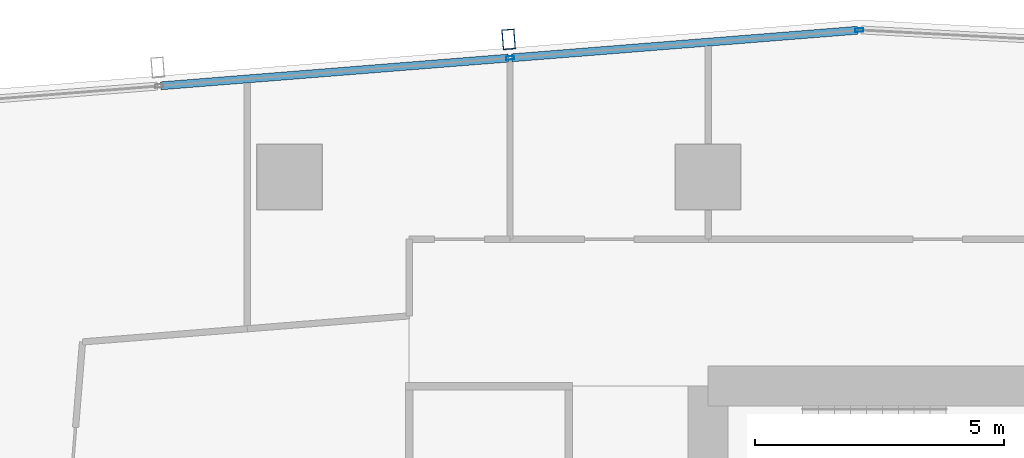
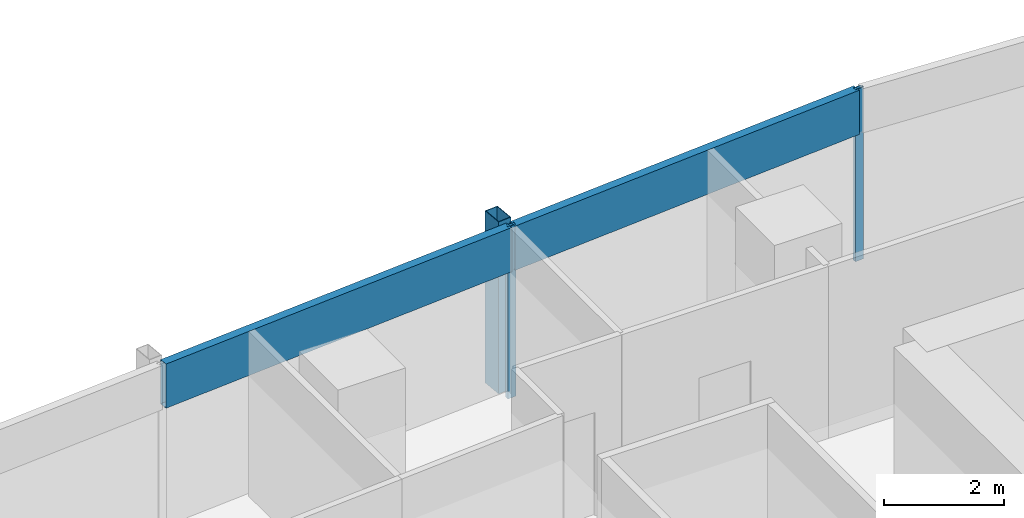
# One storey, part 16 of 29: 5 members, 1 element without a shape of its own.
"""IFC4 building model written with IfcOpenShell, lengths in metres."""

from ifc_helpers import new_model, si_unit, direction, frame, origin, origin_2d, place, context, subcontext, project, spatial, hollow_rectangle, extrude, material, material_profile, profile_set, type_object, element, aggregate, save


model = new_model("IFC4")

# Units and contexts
model_context = context("Model", 3, precision=1e-05, world=origin(), true_north=direction((0.0, 1.0)))
body_context = subcontext(model_context, "Body", "Model", "MODEL_VIEW")
ifc_project = project(units=[si_unit("LENGTHUNIT", "METRE"), si_unit("AREAUNIT", "SQUARE_METRE"), si_unit("VOLUMEUNIT", "CUBIC_METRE"), si_unit("PLANEANGLEUNIT", "RADIAN"), si_unit("MASSUNIT", "GRAM", prefix="KILO")], contexts=[model_context])

# Site, building, storey
site_placement = place(None, origin())
site = spatial("IfcSite", under=ifc_project, at=site_placement, CompositionType="ELEMENT")
building_placement = place(site_placement, origin())
building = spatial("IfcBuilding", under=site, at=building_placement, Name="Rekha Terrace Tower", CompositionType="ELEMENT")
storey_placement = place(building_placement, frame((0.0, 0.0, 257.60009765625)))
storey = spatial("IfcBuildingStorey", under=building, at=storey_placement, Name="L65", CompositionType="ELEMENT", Elevation=257.60009765625)

# Curtain wall, members
ifc_material_1 = material(Name="Aluminium framing", Category="aluminium")
curtain_wall_type = type_object("IfcCurtainWallType", Name="CW3 north unitised glazing", PredefinedType="USERDEFINED", material=ifc_material_1)
curtain_wall_placement = place(storey_placement, origin())
curtain_wall = element("IfcCurtainWall", 1, at=curtain_wall_placement, inside=storey, type_object=curtain_wall_type, Name="CW3 unitised curtain wall", ObjectType="UNITISED CURTAIN WALL", PredefinedType="USERDEFINED")
ifc_material_2 = material(Name="Steel S355 with fluorocarbon finish", Category="steel")
ifc_material_profile_1 = material_profile(ifc_material_2, hollow_rectangle(XDim=0.25, YDim=0.39990234375, WallThickness=0.012451171875, at=origin_2d()), Name="RHS400x250x12.5")
ifc_profile_set_1 = profile_set([ifc_material_profile_1], Name="Steel S355 with fluorocarbon finish")
member_type_1 = type_object("IfcMemberType", Name="BL1 facade blade RHS 400 x 250", PredefinedType="USERDEFINED", material=ifc_profile_set_1)
member_1_placement = place(storey_placement, frame((21.197021484375, 53.16162109375, 0.0), z_axis=(0.0, 0.0, 1.0), x_axis=(-0.996836012392, -0.079485623849, 0.0)))
member_1 = element("IfcMember", 2, at=member_1_placement, type_object=member_type_1, Name="Facade blade", ObjectType="FACADE BLADE", PredefinedType="USERDEFINED", context=body_context, shape_type="SweptSolid", body=[
    extrude(hollow_rectangle(XDim=0.25, YDim=0.39990234375, WallThickness=0.012451171875, at=origin_2d()), origin(), (0.0, 0.0, 1.0), 3.5),
])
ifc_material_3 = material(Name="Aluminium mullion section", Category="aluminium")
ifc_material_profile_2 = material_profile(ifc_material_3, hollow_rectangle(XDim=0.070068359375, YDim=0.159912109375, WallThickness=0.00390625, at=origin_2d()), Name="AL RHS 70x160")
ifc_profile_set_2 = profile_set([ifc_material_profile_2], Name="Aluminium mullion section")
member_type_2 = type_object("IfcMemberType", Name="CW3 mullion RHS 70 x 160", PredefinedType="MULLION", material=ifc_profile_set_2)
member_2_placement = place(storey_placement, frame((28.23779296875, 53.3466796875, 0.0), z_axis=(0.0, 0.0, 1.0), x_axis=(0.07948505154, -0.996836058026, 0.0)))
member_2 = element("IfcMember", 3, at=member_2_placement, type_object=member_type_2, Name="CW3 mullion 1", PredefinedType="MULLION", context=body_context, shape_type="SweptSolid", body=[
    extrude(hollow_rectangle(XDim=0.070068359375, YDim=0.159912109375, WallThickness=0.00390625, at=origin_2d()), origin(), (0.0, 0.0, 1.0), 3.5),
])
member_3_placement = place(storey_placement, frame((21.22705078125, 52.787841796875, 0.0), z_axis=(0.0, 0.0, 1.0), x_axis=(0.07948505154, -0.996836058026, 0.0)))
member_3 = element("IfcMember", 4, at=member_3_placement, type_object=member_type_2, Name="CW3 mullion 2", PredefinedType="MULLION", context=body_context, shape_type="SweptSolid", body=[
    extrude(hollow_rectangle(XDim=0.070068359375, YDim=0.159912109375, WallThickness=0.00390625, at=origin_2d()), origin(), (0.0, 0.0, 1.0), 3.5),
])
ifc_material_4 = material(Name="Insulated aluminium spandrel box", Category="aluminium")
ifc_material_profile_3 = material_profile(ifc_material_4, hollow_rectangle(XDim=0.159912109375, YDim=0.89990234375, WallThickness=0.0029296875, at=origin_2d()), Name="AL SPANDREL BOX 160x900")
ifc_profile_set_3 = profile_set([ifc_material_profile_3], Name="Insulated aluminium spandrel box")
member_type_3 = type_object("IfcMemberType", Name="CW3 spandrel transom 160 x 900", PredefinedType="USERDEFINED", material=ifc_profile_set_3)
member_4_placement = place(storey_placement, frame((28.202880859375, 53.343994140625, 3.0498046875), z_axis=(-0.996836091906, -0.079484626652, 0.0), x_axis=(0.079484626652, -0.996836091906, 0.0)))
member_4 = element("IfcMember", 5, at=member_4_placement, type_object=member_type_3, Name="CW3 spandrel transom 1", ObjectType="TRANSOM", PredefinedType="USERDEFINED", context=body_context, shape_type="SweptSolid", body=[
    extrude(hollow_rectangle(XDim=0.159912109375, YDim=0.89990234375, WallThickness=0.0029296875, at=origin_2d()), origin(), (0.0, 0.0, 1.0), 6.963134765625),
])
member_5_placement = place(storey_placement, frame((21.192138671875, 52.784912109375, 3.0498046875), z_axis=(-0.996837204037, -0.079470677917, 0.0), x_axis=(0.079470677917, -0.996837204037, 0.0)))
member_5 = element("IfcMember", 6, at=member_5_placement, type_object=member_type_3, Name="CW3 spandrel transom 2", ObjectType="TRANSOM", PredefinedType="USERDEFINED", context=body_context, shape_type="SweptSolid", body=[
    extrude(hollow_rectangle(XDim=0.159912109375, YDim=0.89990234375, WallThickness=0.0029296875, at=origin_2d()), origin(), (0.0, 0.0, 1.0), 6.998291015625),
])
aggregate(curtain_wall, [member_2, member_3, member_4, member_5, member_1])

save(model, "model.ifc")
